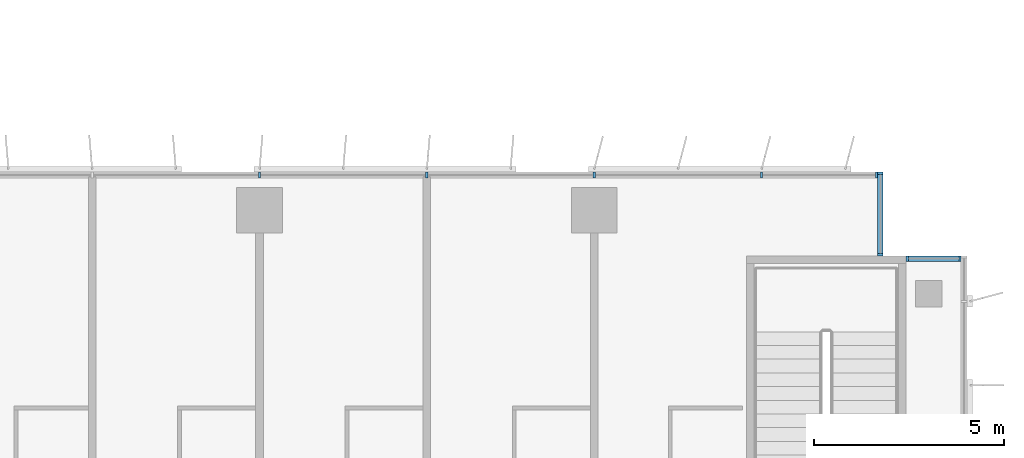
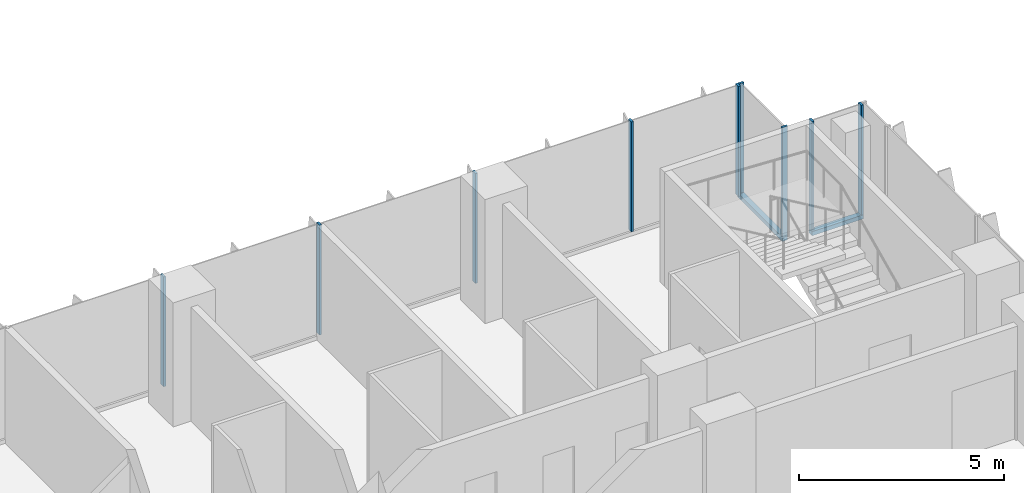
# One storey, part 4 of 22: 11 members, 3 elements without a shape of their own.
"""IFC4 building model written with IfcOpenShell, lengths in metres."""

from ifc_helpers import new_model, si_unit, direction, frame, origin, origin_2d, place, context, subcontext, project, spatial, rectangle, extrude, source, transform, mapped, material, material_profile, profile_set, type_object, element, aggregate, save


model = new_model("IFC4")

# Units and contexts
model_context = context("Model", 3, precision=1e-05, world=origin(), true_north=direction((0.0, 1.0)))
body_context = subcontext(model_context, "Body", "Model", "MODEL_VIEW")
ifc_project = project(units=[si_unit("LENGTHUNIT", "METRE"), si_unit("AREAUNIT", "SQUARE_METRE"), si_unit("VOLUMEUNIT", "CUBIC_METRE"), si_unit("PLANEANGLEUNIT", "RADIAN"), si_unit("MASSUNIT", "GRAM", prefix="KILO")], contexts=[model_context])

# Site, building, storey
site_placement = place(None, origin())
site = spatial("IfcSite", under=ifc_project, at=site_placement, CompositionType="ELEMENT")
building_placement = place(site_placement, origin())
building = spatial("IfcBuilding", under=site, at=building_placement, Name="Kemantara Hotel Tower", CompositionType="ELEMENT")
storey_placement = place(building_placement, frame((0.0, 0.0, 111.10009765625)))
storey = spatial("IfcBuildingStorey", under=building, at=storey_placement, Name="L26", CompositionType="ELEMENT", Elevation=111.10009765625)

# Curtain wall, member
ifc_material_1 = material(Name="Low-E tinted double insulated glass 36 mm", Category="glass")
curtain_wall_type = type_object("IfcCurtainWallType", Name="TOWER CURTAIN WALL, FRONT FACES", PredefinedType="USERDEFINED", material=ifc_material_1)
curtain_wall_1_placement = place(storey_placement, origin())
curtain_wall_1 = element("IfcCurtainWall", 1, at=curtain_wall_1_placement, inside=storey, type_object=curtain_wall_type, Name="CW4 L26 T2-R11-1", ObjectType="TOWER CURTAIN WALL, FRONT FACES", PredefinedType="USERDEFINED")
ifc_material_2 = material(Name="Aluminium 6063-T6 bronze anodised", Category="aluminium")
ifc_material_profile_1 = material_profile(ifc_material_2, rectangle(XDim=0.14990234375, YDim=0.1201171875, at=origin_2d()), Name="TOWER CURTAIN WALL, FRONT FACES TRANSOM")
ifc_profile_set_1 = profile_set([ifc_material_profile_1], Name="Aluminium 6063-T6 bronze anodised")
member_type_1 = type_object("IfcMemberType", Name="TOWER CURTAIN WALL, FRONT FACES TRANSOM", PredefinedType="USERDEFINED", material=ifc_profile_set_1)
member_1_placement = place(storey_placement, frame((63.449951171875, 19.72509765625, 0.059814453125), z_axis=(-1.0, 0.0, 0.0), x_axis=(0.0, -1.0, 0.0)))
member_1 = element("IfcMember", 2, at=member_1_placement, type_object=member_type_1, Name="CW4 sill transom T2-R11-1", ObjectType="TRANSOM", PredefinedType="USERDEFINED", context=body_context, shape_type="SweptSolid", body=[
    extrude(rectangle(XDim=0.14990234375, YDim=0.1201171875, at=origin_2d()), origin(), (0.0, 0.0, 1.0), 1.449951171875),
])

curtain_wall_2_placement = place(storey_placement, origin())
curtain_wall_2 = element("IfcCurtainWall", 3, at=curtain_wall_2_placement, inside=storey, type_object=curtain_wall_type, Name="CW4 L26 T2-R12-1", ObjectType="TOWER CURTAIN WALL, FRONT FACES", PredefinedType="USERDEFINED")
member_2_placement = place(storey_placement, frame((61.324951171875, 19.800048828125, 0.059814453125), z_axis=(0.0, 1.0, 0.0), x_axis=(-1.0, 0.0, 0.0)))
member_2 = element("IfcMember", 4, at=member_2_placement, type_object=member_type_1, Name="CW4 sill transom T2-R12-1", ObjectType="TRANSOM", PredefinedType="USERDEFINED", context=body_context, shape_type="SweptSolid", body=[
    extrude(rectangle(XDim=0.14990234375, YDim=0.1201171875, at=origin_2d()), origin(), (0.0, 0.0, 1.0), 2.199951171875),
])

# Curtain wall, members
curtain_wall_3_placement = place(storey_placement, origin())
curtain_wall_3 = element("IfcCurtainWall", 5, at=curtain_wall_3_placement, inside=storey, type_object=curtain_wall_type, Name="CW4 L26 T2-R13-1", ObjectType="TOWER CURTAIN WALL, FRONT FACES", PredefinedType="USERDEFINED")
ifc_material_profile_2 = material_profile(ifc_material_2, rectangle(XDim=0.14990234375, YDim=0.06005859375, at=origin_2d()), Name="TOWER CURTAIN WALL, FRONT FACES MULLION")
ifc_profile_set_2 = profile_set([ifc_material_profile_2], Name="Aluminium 6063-T6 bronze anodised")
member_type_2 = type_object("IfcMemberType", Name="TOWER CURTAIN WALL, FRONT FACES MULLION", PredefinedType="MULLION", material=ifc_profile_set_2)
shared_shape = source(origin(), body_context, "Body", "SweptSolid", [
    extrude(rectangle(XDim=0.14990234375, YDim=0.06005859375, at=origin_2d()), origin(), (0.0, 0.0, 1.0), 3.280029296875),
])
member_3_placement = place(storey_placement, frame((61.219970703125, 21.925048828125, 0.119873046875), z_axis=(0.0, 0.0, 1.0), x_axis=(0.0, -1.0, 0.0)))
member_3 = element("IfcMember", 6, at=member_3_placement, type_object=member_type_2, Name="CW4 mullion T2-R13-1.1", PredefinedType="MULLION", context=body_context, shape_type="MappedRepresentation", body=[
    mapped(shared_shape, transform((0.0, 0.0, 0.0))),
])
member_4_placement = place(storey_placement, frame((58.199951171875, 21.925048828125, 0.119873046875), z_axis=(0.0, 0.0, 1.0), x_axis=(0.0, -1.0, 0.0)))
member_4 = element("IfcMember", 7, at=member_4_placement, type_object=member_type_2, Name="CW4 mullion T2-R13-1.2", PredefinedType="MULLION", context=body_context, shape_type="MappedRepresentation", body=[
    mapped(shared_shape, transform((0.0, 0.0, 0.0))),
])
member_5_placement = place(storey_placement, frame((53.800048828125, 21.925048828125, 0.119873046875), z_axis=(0.0, 0.0, 1.0), x_axis=(0.0, -1.0, 0.0)))
member_5 = element("IfcMember", 8, at=member_5_placement, type_object=member_type_2, Name="CW4 mullion T2-R13-1.3", PredefinedType="MULLION", context=body_context, shape_type="MappedRepresentation", body=[
    mapped(shared_shape, transform((0.0, 0.0, 0.0))),
])
member_6_placement = place(storey_placement, frame((49.39990234375, 21.925048828125, 0.119873046875), z_axis=(0.0, 0.0, 1.0), x_axis=(0.0, -1.0, 0.0)))
member_6 = element("IfcMember", 9, at=member_6_placement, type_object=member_type_2, Name="CW4 mullion T2-R13-1.4", PredefinedType="MULLION", context=body_context, shape_type="MappedRepresentation", body=[
    mapped(shared_shape, transform((0.0, 0.0, 0.0))),
])
member_7_placement = place(storey_placement, frame((45.0, 21.925048828125, 0.119873046875), z_axis=(0.0, 0.0, 1.0), x_axis=(0.0, -1.0, 0.0)))
member_7 = element("IfcMember", 10, at=member_7_placement, type_object=member_type_2, Name="CW4 mullion T2-R13-1.5", PredefinedType="MULLION", context=body_context, shape_type="MappedRepresentation", body=[
    mapped(shared_shape, transform((0.0, 0.0, 0.0))),
])
aggregate(curtain_wall_3, [member_3, member_4, member_5, member_6, member_7])

# Member
member_8_placement = place(storey_placement, frame((63.419921875, 19.72509765625, 0.119873046875), z_axis=(0.0, 0.0, 1.0), x_axis=(0.0, -1.0, 0.0)))
member_8 = element("IfcMember", 11, at=member_8_placement, type_object=member_type_2, Name="CW4 mullion T2-R11-1.1", PredefinedType="MULLION", context=body_context, shape_type="MappedRepresentation", body=[
    mapped(shared_shape, transform((0.0, 0.0, 0.0))),
])

member_9_placement = place(storey_placement, frame((62.030029296875, 19.72509765625, 0.119873046875), z_axis=(0.0, 0.0, 1.0), x_axis=(0.0, -1.0, 0.0)))
member_9 = element("IfcMember", 12, at=member_9_placement, type_object=member_type_2, Name="CW4 mullion T2-R11-1.2", PredefinedType="MULLION", context=body_context, shape_type="MappedRepresentation", body=[
    mapped(shared_shape, transform((0.0, 0.0, 0.0))),
])

aggregate(curtain_wall_1, [member_1, member_8, member_9])

member_10_placement = place(storey_placement, frame((61.324951171875, 19.830078125, 0.119873046875), z_axis=(0.0, 0.0, 1.0), x_axis=(-1.0, 0.0, 0.0)))
member_10 = element("IfcMember", 13, at=member_10_placement, type_object=member_type_2, Name="CW4 mullion T2-R12-1.1", PredefinedType="MULLION", context=body_context, shape_type="MappedRepresentation", body=[
    mapped(shared_shape, transform((0.0, 0.0, 0.0))),
])

member_11_placement = place(storey_placement, frame((61.324951171875, 21.969970703125, 0.119873046875), z_axis=(0.0, 0.0, 1.0), x_axis=(-1.0, 0.0, 0.0)))
member_11 = element("IfcMember", 14, at=member_11_placement, type_object=member_type_2, Name="CW4 mullion T2-R12-1.2", PredefinedType="MULLION", context=body_context, shape_type="MappedRepresentation", body=[
    mapped(shared_shape, transform((0.0, 0.0, 0.0))),
])

aggregate(curtain_wall_2, [member_2, member_10, member_11])

save(model, "model.ifc")
